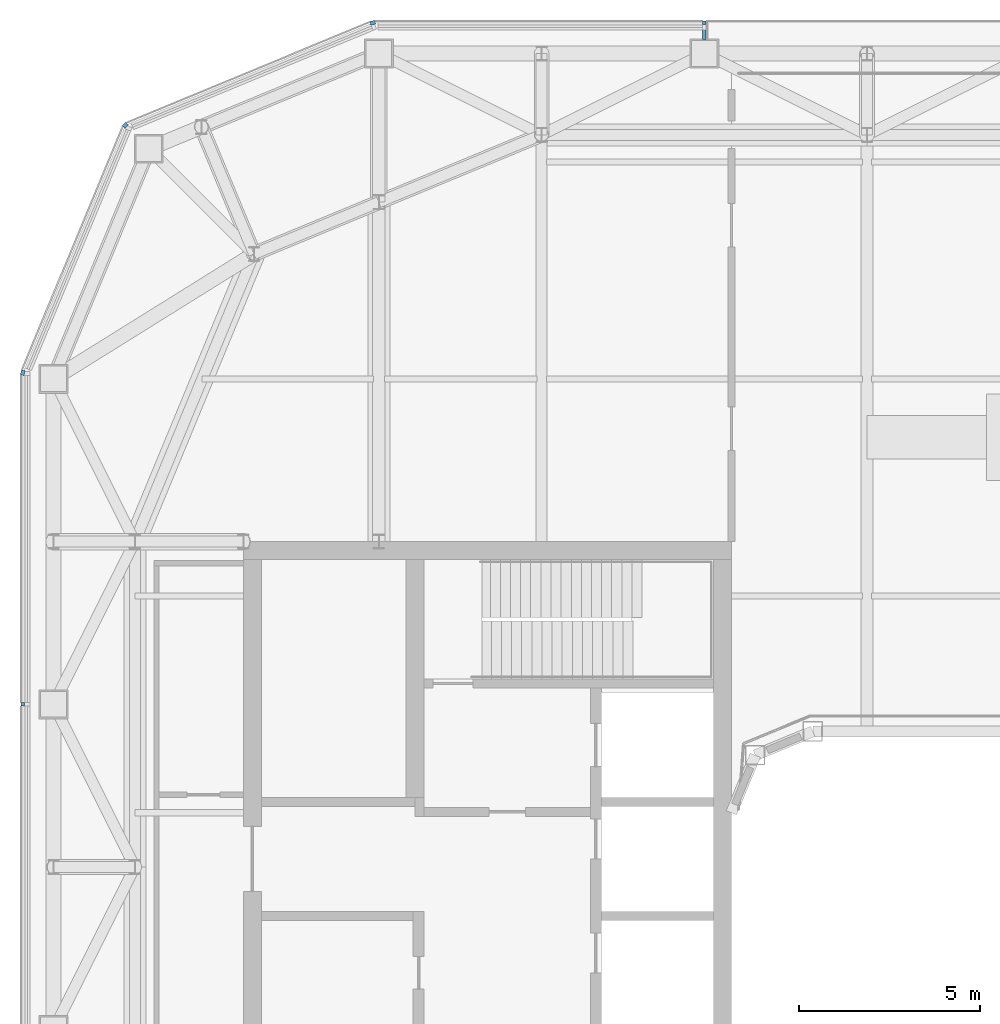
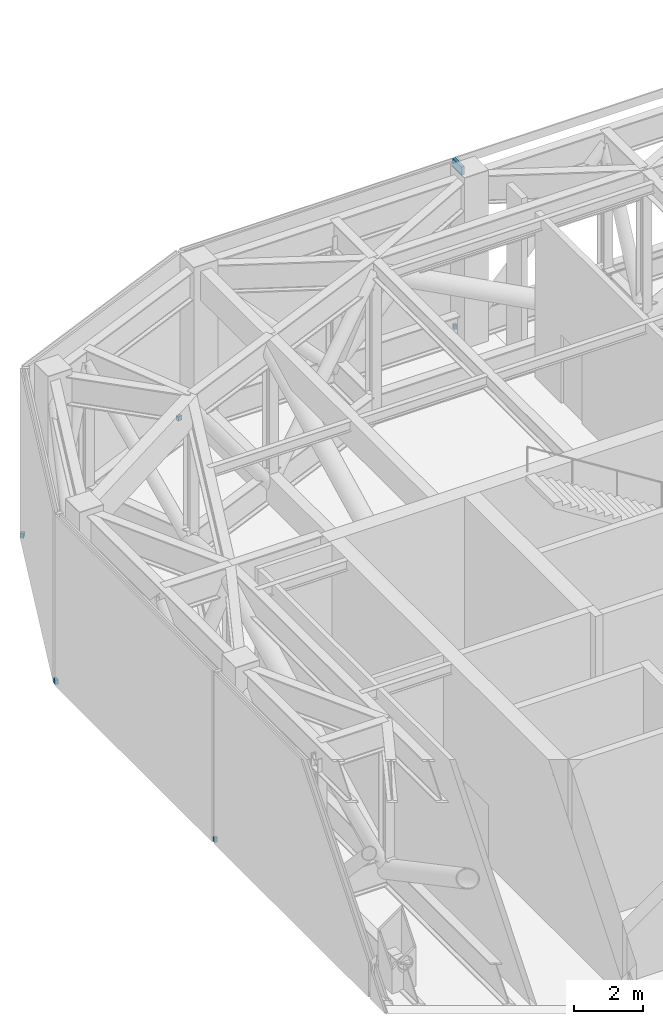
# One storey, part 16 of 21: 6 discrete accessories.
"""IFC4 building model written with IfcOpenShell, lengths in metres."""

from ifc_helpers import new_model, si_unit, direction, frame, origin, origin_2d, place, context, subcontext, project, spatial, rectangle, extrude, material, type_object, element, save


model = new_model("IFC4")

# Units and contexts
model_context = context("Model", 3, precision=1e-05, world=origin(), true_north=direction((0.0, 1.0)))
body_context = subcontext(model_context, "Body", "Model", "MODEL_VIEW")
ifc_project = project(units=[si_unit("LENGTHUNIT", "METRE"), si_unit("AREAUNIT", "SQUARE_METRE"), si_unit("VOLUMEUNIT", "CUBIC_METRE"), si_unit("PLANEANGLEUNIT", "RADIAN"), si_unit("MASSUNIT", "GRAM", prefix="KILO")], contexts=[model_context])

# Site, building, storey
site_placement = place(None, origin())
site = spatial("IfcSite", under=ifc_project, at=site_placement, CompositionType="ELEMENT")
building_placement = place(site_placement, origin())
building = spatial("IfcBuilding", under=site, at=building_placement, Name="Siwar Civic Tower", CompositionType="ELEMENT")
storey_placement = place(building_placement, frame((0.0, 0.0, 278.199951171875)))
storey = spatial("IfcBuildingStorey", under=building, at=storey_placement, Name="L60", CompositionType="ELEMENT", Elevation=278.199951171875)

# Discrete accessories
ifc_material = material(Name="Stainless steel 316", Category="steel")
discrete_accessory_type = type_object("IfcDiscreteAccessoryType", Name="ENV-BRACKET", PredefinedType="BRACKET", material=ifc_material)
discrete_accessory_1_placement = place(storey_placement, frame((-9.0, 27.85009765625, -0.1796875), z_axis=(0.0, 0.0, 1.0), x_axis=(0.0, 1.0, 0.0)))
element("IfcDiscreteAccessory", 1, at=discrete_accessory_1_placement, inside=storey, type_object=discrete_accessory_type, Name="Bracket outer skin joint N-03", PredefinedType="BRACKET", context=body_context, shape_type="SweptSolid", body=[
    extrude(rectangle(XDim=0.10009765625, YDim=0.10009765625, at=origin_2d()), origin(), (0.0, 0.0, 1.0), 0.159912109375),
])
discrete_accessory_2_placement = place(storey_placement, frame((-18.169189453125, 27.85009765625, -0.1796875), z_axis=(0.0, 0.0, 1.0), x_axis=(-0.195090322016, 0.980785280403, 0.0)))
element("IfcDiscreteAccessory", 2, at=discrete_accessory_2_placement, inside=storey, type_object=discrete_accessory_type, Name="Bracket outer skin joint V07", PredefinedType="BRACKET", context=body_context, shape_type="SweptSolid", body=[
    extrude(rectangle(XDim=0.10205078125, YDim=0.13720703125, at=origin_2d()), origin(), (0.0, 0.0, 1.0), 0.159912109375),
])
discrete_accessory_3_placement = place(storey_placement, frame((-25.014404296875, 25.014404296875, -0.1796875), z_axis=(0.0, 0.0, 1.0), x_axis=(-0.707106781187, 0.707106781187, 0.0)))
element("IfcDiscreteAccessory", 3, at=discrete_accessory_3_placement, inside=storey, type_object=discrete_accessory_type, Name="Bracket outer skin joint V08", PredefinedType="BRACKET", context=body_context, shape_type="SweptSolid", body=[
    extrude(rectangle(XDim=0.108154296875, YDim=0.12939453125, at=origin_2d()), origin(), (0.0, 0.0, 1.0), 0.159912109375),
])
discrete_accessory_4_placement = place(storey_placement, frame((-27.85009765625, 18.169189453125, -0.1796875), z_axis=(0.0, 0.0, 1.0), x_axis=(-0.980785280403, 0.195090322016, 0.0)))
element("IfcDiscreteAccessory", 4, at=discrete_accessory_4_placement, inside=storey, type_object=discrete_accessory_type, Name="Bracket outer skin joint V09", PredefinedType="BRACKET", context=body_context, shape_type="SweptSolid", body=[
    extrude(rectangle(XDim=0.10205078125, YDim=0.13720703125, at=origin_2d()), origin(), (0.0, 0.0, 1.0), 0.159912109375),
])
discrete_accessory_5_placement = place(storey_placement, frame((-27.85009765625, 9.0, -0.1796875), z_axis=(0.0, 0.0, 1.0), x_axis=(-1.0, 0.0, 0.0)))
element("IfcDiscreteAccessory", 5, at=discrete_accessory_5_placement, inside=storey, type_object=discrete_accessory_type, Name="Bracket outer skin joint W-01", PredefinedType="BRACKET", context=body_context, shape_type="SweptSolid", body=[
    extrude(rectangle(XDim=0.10009765625, YDim=0.10009765625, at=origin_2d()), origin(), (0.0, 0.0, 1.0), 0.159912109375),
])
discrete_accessory_6_placement = place(storey_placement, frame((-9.0, 27.639892578125, 5.5), z_axis=(0.0, 0.0, 1.0), x_axis=(0.0, 1.0, 0.0)))
element("IfcDiscreteAccessory", 6, at=discrete_accessory_6_placement, inside=storey, type_object=discrete_accessory_type, Name="Bracket portal frame N L60", PredefinedType="BRACKET", context=body_context, shape_type="SweptSolid", body=[
    extrude(rectangle(XDim=0.52001953125, YDim=0.10009765625, at=origin_2d()), origin(), (0.0, 0.0, 1.0), 0.300048828125),
])

save(model, "model.ifc")
